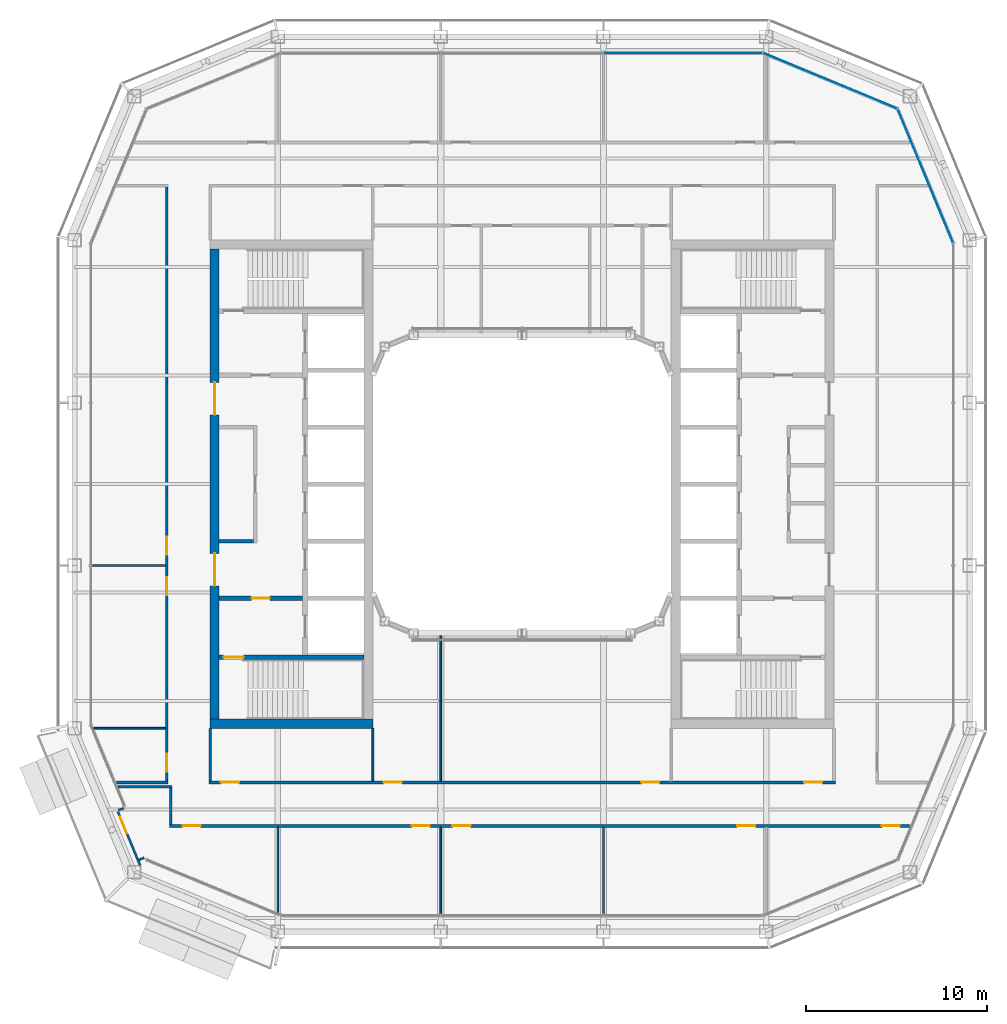
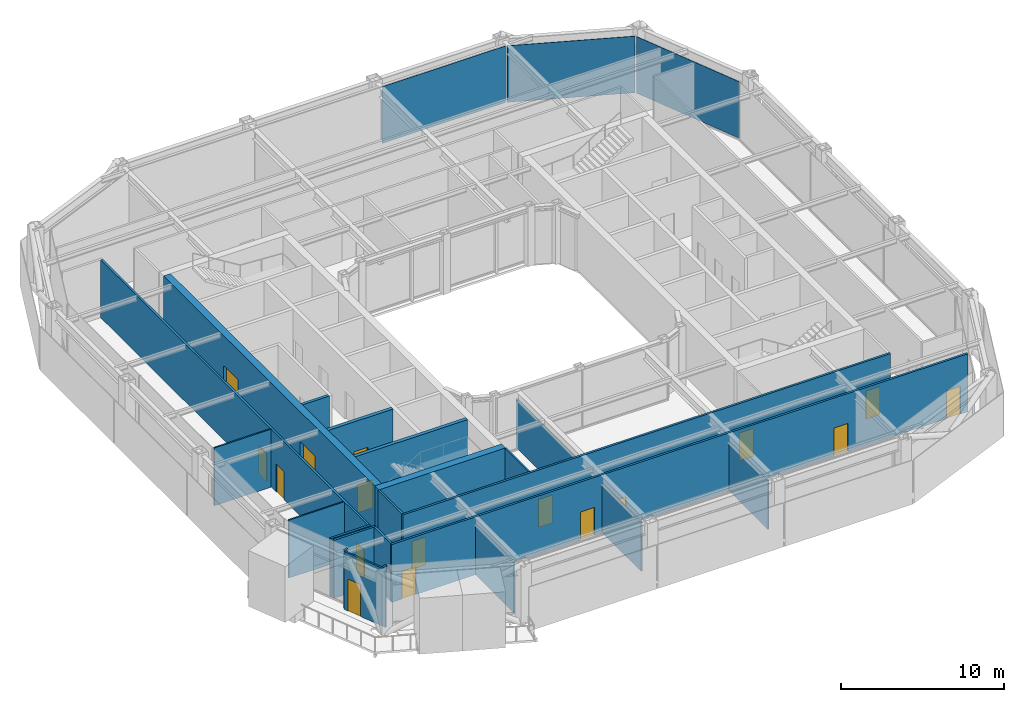
# One storey, part 10 of 20: 22 walls, 17 doors, 3 plates, 17 openings, 3 elements without a shape of their own.
"""IFC4 building model written with IfcOpenShell, lengths in metres."""

import ifcopenshell
import ifcopenshell.guid

model = None  # the IFC model being written
_history = None  # IfcOwnerHistory: only IFC2X3 demands one
_inside = {}  # id of a spatial element -> (the spatial element, [elements in it])
_under = {}  # id of a project, library or spatial element -> (it, [spatial elements below it])
_declared = {}  # id of a project -> (the project, [libraries it declares])
_typed = {}  # id of a type object -> (the type object, [elements of that type])
_made_of = {}  # id of a material, layer set ... -> (it, [elements and type objects made of it])


def new_model(schema):
    """Start an empty IFC model of exactly this schema.

    Asked for "IFC4X3", IfcOpenShell would pick the latest addendum, in which some entities
    have other attributes; the version numbers below select the first issue.
    IFC2X3 requires an IfcOwnerHistory on every rooted entity: one is made here for all.
    """
    global model, _history
    if schema == "IFC4X3":
        model = ifcopenshell.file(schema_version=(4, 3, 0, 0))
    else:
        model = ifcopenshell.file(schema=schema)
    _inside.clear()
    _under.clear()
    _declared.clear()
    _typed.clear()
    _made_of.clear()
    _history = None
    if model.schema == "IFC2X3":
        org = make("IfcOrganization", Name="unknown")
        user = make(
            "IfcPersonAndOrganization",
            ThePerson=make("IfcPerson", FamilyName="unknown"),
            TheOrganization=org,
        )
        app = make(
            "IfcApplication",
            ApplicationDeveloper=org,
            Version="unknown",
            ApplicationFullName="unknown",
            ApplicationIdentifier="unknown",
        )
        _history = make(
            "IfcOwnerHistory",
            OwningUser=user,
            OwningApplication=app,
            ChangeAction="ADDED",
            CreationDate=0,
        )
    return model


def make(cls, **values):
    """One entity of the class cls with the attributes given. An attribute that is None is left unset."""
    return model.create_entity(
        cls, **{name: value for name, value in values.items() if value is not None}
    )


def rooted(cls, **values):
    """An entity with a GlobalId (a new one), such as an element, a storey or a relation."""
    return make(cls, GlobalId=ifcopenshell.guid.new(), OwnerHistory=_history, **values)


def si_unit(unit_type, name, prefix=None):
    """IfcSIUnit, for example si_unit("LENGTHUNIT", "METRE", prefix="MILLI")."""
    return make("IfcSIUnit", UnitType=unit_type, Prefix=prefix, Name=name)


def assignment(units):
    """IfcUnitAssignment: the units of a project."""
    return None if units is None else make("IfcUnitAssignment", Units=units)


def point(xyz):
    """IfcCartesianPoint."""
    return None if xyz is None else make("IfcCartesianPoint", Coordinates=xyz)


def direction(xyz):
    """IfcDirection."""
    return None if xyz is None else make("IfcDirection", DirectionRatios=xyz)


def frame(location, z_axis=None, x_axis=None):
    """IfcAxis2Placement3D, a coordinate frame: its origin and axes. An axis left out is left unset."""
    return make(
        "IfcAxis2Placement3D",
        Location=point(location),
        Axis=direction(z_axis),
        RefDirection=direction(x_axis),
    )


def frame_2d(location, x_axis=None):
    """IfcAxis2Placement2D, a coordinate frame in the plane: its origin and x axis."""
    return make(
        "IfcAxis2Placement2D", Location=point(location), RefDirection=direction(x_axis)
    )


def origin():
    """The frame at (0, 0, 0) with its axes left unset."""
    return frame((0.0, 0.0, 0.0))


def origin_2d():
    """The frame at (0, 0) in the plane with its x axis left unset."""
    return frame_2d((0.0, 0.0))


def place(relative_to, where):
    """IfcLocalPlacement: puts the frame where relative to a parent placement (None: the world)."""
    return make(
        "IfcLocalPlacement", PlacementRelTo=relative_to, RelativePlacement=where
    )


def context(
    kind, dimensions, precision=None, world=None, true_north=None, identifier=None
):
    """IfcGeometricRepresentationContext, for example the 3D "Model" context."""
    return make(
        "IfcGeometricRepresentationContext",
        ContextIdentifier=identifier,
        ContextType=kind,
        CoordinateSpaceDimension=dimensions,
        Precision=precision,
        WorldCoordinateSystem=world,
        TrueNorth=true_north,
    )


def subcontext(parent, identifier, kind, view, scale=None):
    """IfcGeometricRepresentationSubContext, for example "Body" below "Model"."""
    return make(
        "IfcGeometricRepresentationSubContext",
        ContextIdentifier=identifier,
        ContextType=kind,
        ParentContext=parent,
        TargetScale=scale,
        TargetView=view,
    )


def project(units=None, contexts=None):
    """IfcProject with its units and contexts."""
    return rooted(
        "IfcProject",
        Name="project",
        RepresentationContexts=contexts,
        UnitsInContext=assignment(units),
    )


def spatial(cls, under=None, at=None, **own):
    """A site, building, storey or space (cls), placed at a placement, below another one or the project."""
    s = rooted(cls, ObjectPlacement=at, **own)
    if under is not None:
        _under.setdefault(under.id(), (under, []))[1].append(s)
    return s


def profile(cls, at=None, kind="AREA", **sizes):
    """A parametric profile (cls). Its sizes go by their IFC names, for example OverallWidth=200.0."""
    return make(cls, ProfileType=kind, Position=at, **sizes)


def rectangle(**sizes):
    """IfcRectangleProfileDef."""
    return profile("IfcRectangleProfileDef", **sizes)


def extrude(swept, where, along, depth):
    """IfcExtrudedAreaSolid: the profile swept, set in the frame where, extruded along a direction by depth."""
    return make(
        "IfcExtrudedAreaSolid",
        SweptArea=swept,
        Position=where,
        ExtrudedDirection=direction(along),
        Depth=depth,
    )


def shape(context_of_items, identifier, shape_type, items):
    """IfcShapeRepresentation: the items that make up one representation, for example the "Body"."""
    return make(
        "IfcShapeRepresentation",
        ContextOfItems=context_of_items,
        RepresentationIdentifier=identifier,
        RepresentationType=shape_type,
        Items=items,
    )


def material(Name=None, Category=None):
    """IfcMaterial."""
    return make("IfcMaterial", Name=Name, Category=Category)


def layer(
    of_material, thickness, ventilated=None, Name=None, Category=None, Priority=None
):
    """IfcMaterialLayer: one layer of a wall or slab, of a material (None: an air gap)."""
    return make(
        "IfcMaterialLayer",
        Material=of_material,
        LayerThickness=thickness,
        IsVentilated=ventilated,
        Name=Name,
        Category=Category,
        Priority=Priority,
    )


def layer_set(layers, Name=None):
    """IfcMaterialLayerSet."""
    return make("IfcMaterialLayerSet", MaterialLayers=layers, LayerSetName=Name)


def made_of(thing, what):
    """Note that an element or type object is made of a material, layer set ...; save() writes the relation."""
    if what is not None:
        _made_of.setdefault(what.id(), (what, []))[1].append(thing)
    return thing


def type_object(cls, material=None, **own):
    """A type object (cls), such as IfcWallType, which elements share."""
    return made_of(rooted(cls, **own), material)


def element(
    cls,
    number,
    at=None,
    inside=None,
    cuts=None,
    type_object=None,
    material=None,
    context=None,
    identifier="Body",
    shape_type=None,
    held_by="IfcProductDefinitionShape",
    body=None,
    shapes=None,
    **own,
):
    """One element of the class cls, such as IfcWall. Its Tag is "e" and its number.

    at: its placement. inside: the storey or other place that contains it. cuts: it is an
    opening in that element (IfcRelVoidsElement). A single representation is given by context,
    identifier, shape_type and body (its items); several are given by shapes. held_by: the class
    of the entity that holds the representations. save() writes the other relations.
    """
    e = rooted(cls, Tag="e%d" % number, ObjectPlacement=at, **own)
    if body is not None:
        shapes = [shape(context, identifier, shape_type, body)]
    if shapes is not None:
        e.Representation = make(held_by, Representations=shapes)
    if inside is not None:
        _inside.setdefault(inside.id(), (inside, []))[1].append(e)
    if cuts is not None:
        rooted(
            "IfcRelVoidsElement", RelatingBuildingElement=cuts, RelatedOpeningElement=e
        )
    if type_object is not None:
        _typed.setdefault(type_object.id(), (type_object, []))[1].append(e)
    return made_of(e, material)


def fill(opening, filler):
    """IfcRelFillsElement: the door or window that sits in an opening."""
    return rooted(
        "IfcRelFillsElement",
        RelatingOpeningElement=opening,
        RelatedBuildingElement=filler,
    )


def aggregate(whole, parts):
    """IfcRelAggregates: a whole, such as a stair, and the parts it consists of."""
    return rooted("IfcRelAggregates", RelatingObject=whole, RelatedObjects=parts)


def save(model, path):
    """Write the relations noted so far, then the file.

    IfcRelAggregates (storeys below a building ...), IfcRelContainedInSpatialStructure (elements
    in a storey), IfcRelDefinesByType, IfcRelAssociatesMaterial and IfcRelDeclares: one each for
    every whole, place, type object, material and project.
    """
    for whole, parts in _under.values():
        aggregate(whole, parts)
    for where, things in _inside.values():
        rooted(
            "IfcRelContainedInSpatialStructure",
            RelatedElements=things,
            RelatingStructure=where,
        )
    for kind, things in _typed.values():
        rooted("IfcRelDefinesByType", RelatedObjects=things, RelatingType=kind)
    for what, things in _made_of.values():
        rooted("IfcRelAssociatesMaterial", RelatedObjects=things, RelatingMaterial=what)
    for by, libraries in _declared.values():
        rooted("IfcRelDeclares", RelatingContext=by, RelatedDefinitions=libraries)
    model.write(path)


model = new_model("IFC4")

# Units and contexts
model_context = context("Model", 3, precision=1e-05, world=origin(), true_north=direction((0.0, 1.0)))
body_context = subcontext(model_context, "Body", "Model", "MODEL_VIEW")
ifc_project = project(units=[si_unit("LENGTHUNIT", "METRE"), si_unit("AREAUNIT", "SQUARE_METRE"), si_unit("VOLUMEUNIT", "CUBIC_METRE"), si_unit("PLANEANGLEUNIT", "RADIAN"), si_unit("MASSUNIT", "GRAM", prefix="KILO")], contexts=[model_context])

# Site, building, storey
site_placement = place(None, origin())
site = spatial("IfcSite", under=ifc_project, at=site_placement, CompositionType="ELEMENT")
building_placement = place(site_placement, origin())
building = spatial("IfcBuilding", under=site, at=building_placement, Name="Siwar Civic Tower", CompositionType="ELEMENT")
storey_placement = place(building_placement, frame((0.0, 0.0, 316.699951171875)))
storey = spatial("IfcBuildingStorey", under=building, at=storey_placement, Name="L68", CompositionType="ELEMENT", Elevation=316.699951171875)

# Curtain wall, plate
ifc_material_1 = material(Name="Aluminium and glass", Category="aluminium")
ifc_layer_1 = layer(ifc_material_1, 0.159912109375)
ifc_layer_set_1 = layer_set([ifc_layer_1], Name="Aluminium and glass")
curtain_wall_type_1 = type_object("IfcCurtainWallType", Name="ENV-CW-D", PredefinedType="NOTDEFINED", material=ifc_layer_set_1)
curtain_wall_1_placement = place(storey_placement, origin())
curtain_wall_1 = element("IfcCurtainWall", 1, at=curtain_wall_1_placement, inside=storey, type_object=curtain_wall_type_1, Name="Curtain wall D N", PredefinedType="NOTDEFINED")
ifc_material_2 = material(Name="Glass clear laminated", Category="glass")
ifc_layer_2 = layer(ifc_material_2, 0.030029296875)
ifc_layer_set_2 = layer_set([ifc_layer_2], Name="Glass clear laminated")
plate_type_1 = type_object("IfcPlateType", Name="ENV-PANEL-D", PredefinedType="CURTAIN_PANEL", material=ifc_layer_set_2)
plate_1_placement = place(storey_placement, frame((8.910400390625, 23.85009765625, 0.10009765625), z_axis=(0.0, 0.0, 1.0), x_axis=(-1.0, 0.0, 0.0)))
plate_1 = element("IfcPlate", 2, at=plate_1_placement, type_object=plate_type_1, Name="Curtain panel D N 1", PredefinedType="CURTAIN_PANEL", context=body_context, shape_type="SweptSolid", body=[
    extrude(rectangle(XDim=8.760986328125, YDim=0.030029296875, at=origin_2d()), origin(), (0.0, 0.0, 1.0), 4.25),
])
aggregate(curtain_wall_1, [plate_1])

ifc_material_3 = material(Name="Aluminium clad insulated panel", Category="aluminium")
ifc_layer_3 = layer(ifc_material_3, 0.159912109375)
ifc_layer_set_3 = layer_set([ifc_layer_3], Name="Aluminium clad insulated panel")
curtain_wall_type_2 = type_object("IfcCurtainWallType", Name="ENV-CW-DX", PredefinedType="NOTDEFINED", material=ifc_layer_set_3)
curtain_wall_2_placement = place(storey_placement, origin())
curtain_wall_2 = element("IfcCurtainWall", 3, at=curtain_wall_2_placement, inside=storey, type_object=curtain_wall_type_2, Name="Curtain wall D NE1", PredefinedType="NOTDEFINED")
ifc_material_4 = material(Name="Aluminium clad insulated panel", Category="aluminium")
ifc_layer_4 = layer(ifc_material_4, 0.030029296875)
ifc_layer_set_4 = layer_set([ifc_layer_4], Name="Aluminium clad insulated panel")
plate_type_2 = type_object("IfcPlateType", Name="ENV-PANEL-DX", PredefinedType="CURTAIN_PANEL", material=ifc_layer_set_4)
plate_2_placement = place(storey_placement, frame((22.321044921875, 17.01220703125, 0.10009765625), z_axis=(0.0, 0.0, 1.0), x_axis=(-0.382683432365, 0.923879532511, 0.0)))
plate_2 = element("IfcPlate", 4, at=plate_2_placement, type_object=plate_type_2, Name="Curtain panel D NE1 1", PredefinedType="CURTAIN_PANEL", context=body_context, shape_type="SweptSolid", body=[
    extrude(rectangle(XDim=7.9306640625, YDim=0.030029296875, at=origin_2d()), origin(), (0.0, 0.0, 1.0), 4.25),
])
aggregate(curtain_wall_2, [plate_2])

curtain_wall_3_placement = place(storey_placement, origin())
curtain_wall_3 = element("IfcCurtainWall", 5, at=curtain_wall_3_placement, inside=storey, type_object=curtain_wall_type_2, Name="Curtain wall D NE2", PredefinedType="NOTDEFINED")
plate_3_placement = place(storey_placement, frame((17.074951171875, 22.295166015625, 0.10009765625), z_axis=(0.0, 0.0, 1.0), x_axis=(-0.923879532511, 0.382683432365, 0.0)))
plate_3 = element("IfcPlate", 6, at=plate_3_placement, type_object=plate_type_2, Name="Curtain panel D NE2 1", PredefinedType="CURTAIN_PANEL", context=body_context, shape_type="SweptSolid", body=[
    extrude(rectangle(XDim=7.9306640625, YDim=0.030029296875, at=origin_2d()), origin(), (0.0, 0.0, 1.0), 4.25),
])
aggregate(curtain_wall_3, [plate_3])

# Wall
ifc_material_5 = material(Name="Gypsum board on steel studs", Category="steel")
ifc_layer_5 = layer(ifc_material_5, 0.199951171875)
ifc_layer_set_5 = layer_set([ifc_layer_5], Name="Gypsum board on steel studs")
wall_type_1 = type_object("IfcWallType", Name="CORE-PARTITION-200", PredefinedType="PARTITIONING", material=ifc_layer_set_5)
wall_1_placement = place(storey_placement, frame((-14.85009765625, -3.14990234375, 0.0), z_axis=(0.0, 0.0, 1.0), x_axis=(-1.0, 0.0, 0.0)))
element("IfcWall", 7, at=wall_1_placement, inside=storey, type_object=wall_type_1, Name="Core partition W", PredefinedType="PARTITIONING", context=body_context, shape_type="SweptSolid", body=[
    extrude(rectangle(XDim=1.89990234375, YDim=0.199951171875, at=frame_2d((0.949951171875, 0.0))), origin(), (0.0, 0.0, 1.0), 4.35009765625),
])

# Wall, opening, door
ifc_material_6 = material(Name="Concrete C60/75", Category="concrete")
ifc_layer_6 = layer(ifc_material_6, 0.25)
ifc_layer_set_6 = layer_set([ifc_layer_6], Name="Concrete C60/75")
wall_type_2 = type_object("IfcWallType", Name="CORE-WALL-RC250", PredefinedType="SHEAR", material=ifc_layer_set_6)
wall_2_placement = place(storey_placement, frame((-12.14990234375, -6.300048828125, 0.0), z_axis=(0.0, 0.0, 1.0), x_axis=(-1.0, 0.0, 0.0)))
wall_2 = element("IfcWall", 8, at=wall_2_placement, inside=storey, type_object=wall_type_2, Name="Core wall W", PredefinedType="SHEAR", context=body_context, shape_type="SweptSolid", body=[
    extrude(rectangle(XDim=4.60009765625, YDim=0.25, at=frame_2d((2.300048828125, 0.0))), origin(), (0.0, 0.0, 1.0), 4.35009765625),
])
opening_1_placement = place(wall_2_placement, frame((1.800048828125, 0.0, 0.0)))
opening_1 = element("IfcOpeningElement", 9, at=opening_1_placement, cuts=wall_2, Name="Opening L68-CW02", PredefinedType="OPENING", context=body_context, shape_type="SweptSolid", body=[
    extrude(rectangle(XDim=1.0, YDim=2.10009765625, at=frame_2d((0.5, 1.050048828125))), frame((0.0, 0.135009765625, 0.0), z_axis=(0.0, -1.0, 0.0), x_axis=(1.0, 0.0, 0.0)), (0.0, 0.0, 1.0), 0.27001953125),
])
ifc_material_7 = material(Name="Steel door leaf", Category="steel")
door_type_1 = type_object("IfcDoorType", Name="CORE-DOOR-FD30S", OperationType="SINGLE_SWING_LEFT", PredefinedType="DOOR", material=ifc_material_7)
door_1_placement = place(opening_1_placement, origin())
door_1 = element("IfcDoor", 10, at=door_1_placement, inside=storey, type_object=door_type_1, Name="Service lobby door L68-CW02", OperationType="SINGLE_SWING_RIGHT", OverallHeight=2.10009765625, OverallWidth=1.0, PredefinedType="DOOR", context=body_context, shape_type="SweptSolid", body=[
    extrude(rectangle(XDim=1.0, YDim=2.10009765625, at=frame_2d((0.5, 1.050048828125))), frame((0.0, 0.02490234375, 0.0), z_axis=(0.0, -1.0, 0.0), x_axis=(1.0, 0.0, 0.0)), (0.0, 0.0, 1.0), 0.050048828125),
])
fill(opening_1, door_1)

wall_3_placement = place(storey_placement, frame((-8.75, -9.574951171875, 0.0), z_axis=(0.0, 0.0, 1.0), x_axis=(-1.0, 0.0, 0.0)))
wall_3 = element("IfcWall", 11, at=wall_3_placement, inside=storey, type_object=wall_type_2, Name="Core wall W", PredefinedType="SHEAR", context=body_context, shape_type="SweptSolid", body=[
    extrude(rectangle(XDim=8.0, YDim=0.25, at=frame_2d((4.0, 0.0))), origin(), (0.0, 0.0, 1.0), 4.35009765625),
])
opening_2_placement = place(wall_3_placement, frame((6.64990234375, 0.0, 0.0)))
opening_2 = element("IfcOpeningElement", 12, at=opening_2_placement, cuts=wall_3, Name="Opening L68-CW04", PredefinedType="OPENING", context=body_context, shape_type="SweptSolid", body=[
    extrude(rectangle(XDim=1.10009765625, YDim=2.10009765625, at=frame_2d((0.550048828125, 1.050048828125))), frame((0.0, 0.135009765625, 0.0), z_axis=(0.0, -1.0, 0.0), x_axis=(1.0, 0.0, 0.0)), (0.0, 0.0, 1.0), 0.27001953125),
])
ifc_material_8 = material(Name="Steel door leaf", Category="steel")
door_type_2 = type_object("IfcDoorType", Name="CORE-DOOR-FD60S", OperationType="SINGLE_SWING_LEFT", PredefinedType="DOOR", material=ifc_material_8)
door_2_placement = place(opening_2_placement, origin())
door_2 = element("IfcDoor", 13, at=door_2_placement, inside=storey, type_object=door_type_2, Name="Stair door L68-CW04", OperationType="SINGLE_SWING_LEFT", OverallHeight=2.10009765625, OverallWidth=1.10009765625, PredefinedType="DOOR", context=body_context, shape_type="SweptSolid", body=[
    extrude(rectangle(XDim=1.10009765625, YDim=2.10009765625, at=frame_2d((0.550048828125, 1.050048828125))), frame((0.0, 0.02490234375, 0.0), z_axis=(0.0, -1.0, 0.0), x_axis=(1.0, 0.0, 0.0)), (0.0, 0.0, 1.0), 0.050048828125),
])
fill(opening_2, door_2)

# Wall, openings, doors
ifc_material_9 = material(Name="Concrete C60/75", Category="concrete")
ifc_layer_7 = layer(ifc_material_9, 0.5)
ifc_layer_set_7 = layer_set([ifc_layer_7], Name="Concrete C60/75")
wall_type_3 = type_object("IfcWallType", Name="CORE-WALL-RC500", PredefinedType="SHEAR", material=ifc_layer_set_7)
wall_4_placement = place(storey_placement, frame((-17.0, -13.0, 0.0), z_axis=(0.0, 0.0, 1.0), x_axis=(0.0, 1.0, 0.0)))
wall_4 = element("IfcWall", 14, at=wall_4_placement, inside=storey, type_object=wall_type_3, Name="Core wall W", PredefinedType="SHEAR", context=body_context, shape_type="SweptSolid", body=[
    extrude(rectangle(XDim=26.0, YDim=0.5, at=frame_2d((13.0, 0.0))), origin(), (0.0, 0.0, 1.0), 4.35009765625),
])
opening_3_placement = place(wall_4_placement, frame((16.824951171875, 0.0, 0.0)))
opening_3 = element("IfcOpeningElement", 15, at=opening_3_placement, cuts=wall_4, Name="Opening L68-CW05", PredefinedType="OPENING", context=body_context, shape_type="SweptSolid", body=[
    extrude(rectangle(XDim=1.800048828125, YDim=2.10009765625, at=frame_2d((0.89990234375, 1.050048828125))), frame((0.0, 0.260009765625, 0.0), z_axis=(0.0, -1.0, 0.0), x_axis=(1.0, 0.0, 0.0)), (0.0, 0.0, 1.0), 0.52001953125),
])
opening_4_placement = place(wall_4_placement, frame((7.375, 0.0, 0.0)))
opening_4 = element("IfcOpeningElement", 16, at=opening_4_placement, cuts=wall_4, Name="Opening L68-CW06", PredefinedType="OPENING", context=body_context, shape_type="SweptSolid", body=[
    extrude(rectangle(XDim=1.800048828125, YDim=2.10009765625, at=frame_2d((0.89990234375, 1.050048828125))), frame((0.0, 0.260009765625, 0.0), z_axis=(0.0, -1.0, 0.0), x_axis=(1.0, 0.0, 0.0)), (0.0, 0.0, 1.0), 0.52001953125),
])
ifc_material_10 = material(Name="Steel door leaf", Category="steel")
door_type_3 = type_object("IfcDoorType", Name="CORE-DOOR-PORT", OperationType="DOUBLE_DOOR_DOUBLE_SWING", PredefinedType="DOOR", material=ifc_material_10)
door_3_placement = place(opening_3_placement, origin())
door_3 = element("IfcDoor", 17, at=door_3_placement, inside=storey, type_object=door_type_3, Name="Core entrance door L68-CW05", OperationType="DOUBLE_DOOR_DOUBLE_SWING", OverallHeight=2.10009765625, OverallWidth=1.800048828125, PredefinedType="DOOR", context=body_context, shape_type="SweptSolid", body=[
    extrude(rectangle(XDim=1.800048828125, YDim=2.10009765625, at=frame_2d((0.89990234375, 1.050048828125))), frame((0.0, 0.02490234375, 0.0), z_axis=(0.0, -1.0, 0.0), x_axis=(1.0, 0.0, 0.0)), (0.0, 0.0, 1.0), 0.050048828125),
])
fill(opening_3, door_3)
door_4_placement = place(opening_4_placement, origin())
door_4 = element("IfcDoor", 18, at=door_4_placement, inside=storey, type_object=door_type_3, Name="Core entrance door L68-CW06", OperationType="DOUBLE_DOOR_DOUBLE_SWING", OverallHeight=2.10009765625, OverallWidth=1.800048828125, PredefinedType="DOOR", context=body_context, shape_type="SweptSolid", body=[
    extrude(rectangle(XDim=1.800048828125, YDim=2.10009765625, at=frame_2d((0.89990234375, 1.050048828125))), frame((0.0, 0.02490234375, 0.0), z_axis=(0.0, -1.0, 0.0), x_axis=(1.0, 0.0, 0.0)), (0.0, 0.0, 1.0), 0.050048828125),
])
fill(opening_4, door_4)

# Wall
wall_5_placement = place(storey_placement, frame((-8.25, -13.25, 0.0), z_axis=(0.0, 0.0, 1.0), x_axis=(-1.0, 0.0, 0.0)))
element("IfcWall", 19, at=wall_5_placement, inside=storey, type_object=wall_type_3, Name="Core wall W", PredefinedType="SHEAR", context=body_context, shape_type="SweptSolid", body=[
    extrude(rectangle(XDim=9.0, YDim=0.5, at=frame_2d((4.5, 0.0))), origin(), (0.0, 0.0, 1.0), 4.35009765625),
])

# Wall, openings, doors
ifc_material_11 = material(Name="Gypsum board on steel studs", Category="steel")
ifc_layer_8 = layer(ifc_material_11, 0.14990234375)
ifc_layer_set_8 = layer_set([ifc_layer_8], Name="Gypsum board on steel studs")
wall_type_4 = type_object("IfcWallType", Name="CORRIDOR PARTITION 150 EI 30", PredefinedType="PARTITIONING", material=ifc_layer_set_8)
wall_6_placement = place(storey_placement, frame((-19.5029296875, -18.89990234375, 0.0), z_axis=(0.0, 0.0, 1.0), x_axis=(1.0, 0.0, 0.0)))
wall_6 = element("IfcWall", 20, at=wall_6_placement, inside=storey, type_object=wall_type_4, Name="L68/wall/P01", PredefinedType="PARTITIONING", context=body_context, shape_type="SweptSolid", body=[
    extrude(rectangle(XDim=40.94384765625, YDim=0.14990234375, at=frame_2d((20.471923828125, 0.0))), origin(), (0.0, 0.0, 1.0), 4.35009765625),
])
opening_5_placement = place(wall_6_placement, frame((13.403076171875, 0.0, 0.0)))
opening_5 = element("IfcOpeningElement", 21, at=opening_5_placement, cuts=wall_6, Name="Opening D1", PredefinedType="OPENING", context=body_context, shape_type="SweptSolid", body=[
    extrude(rectangle(XDim=1.0, YDim=2.10009765625, at=frame_2d((0.5, 1.050048828125))), frame((0.0, 0.0849609375, 0.0), z_axis=(0.0, -1.0, 0.0), x_axis=(1.0, 0.0, 0.0)), (0.0, 0.0, 1.0), 0.169921875),
])
opening_6_placement = place(wall_6_placement, frame((15.653076171875, 0.0, 0.0)))
opening_6 = element("IfcOpeningElement", 22, at=opening_6_placement, cuts=wall_6, Name="Opening D1", PredefinedType="OPENING", context=body_context, shape_type="SweptSolid", body=[
    extrude(rectangle(XDim=1.0, YDim=2.10009765625, at=frame_2d((0.5, 1.050048828125))), frame((0.0, 0.0849609375, 0.0), z_axis=(0.0, -1.0, 0.0), x_axis=(1.0, 0.0, 0.0)), (0.0, 0.0, 1.0), 0.169921875),
])
opening_7_placement = place(wall_6_placement, frame((31.403076171875, 0.0, 0.0)))
opening_7 = element("IfcOpeningElement", 23, at=opening_7_placement, cuts=wall_6, Name="Opening D1", PredefinedType="OPENING", context=body_context, shape_type="SweptSolid", body=[
    extrude(rectangle(XDim=1.0, YDim=2.10009765625, at=frame_2d((0.5, 1.050048828125))), frame((0.0, 0.0849609375, 0.0), z_axis=(0.0, -1.0, 0.0), x_axis=(1.0, 0.0, 0.0)), (0.0, 0.0, 1.0), 0.169921875),
])
opening_8_placement = place(wall_6_placement, frame((0.72509765625, 0.0, 0.0)))
opening_8 = element("IfcOpeningElement", 24, at=opening_8_placement, cuts=wall_6, Name="Opening D1", PredefinedType="OPENING", context=body_context, shape_type="SweptSolid", body=[
    extrude(rectangle(XDim=1.0, YDim=2.10009765625, at=frame_2d((0.5, 1.050048828125))), frame((0.0, 0.0849609375, 0.0), z_axis=(0.0, -1.0, 0.0), x_axis=(1.0, 0.0, 0.0)), (0.0, 0.0, 1.0), 0.169921875),
])
opening_9_placement = place(wall_6_placement, frame((39.403076171875, 0.0, 0.0)))
opening_9 = element("IfcOpeningElement", 25, at=opening_9_placement, cuts=wall_6, Name="Opening D1", PredefinedType="OPENING", context=body_context, shape_type="SweptSolid", body=[
    extrude(rectangle(XDim=1.0, YDim=2.10009765625, at=frame_2d((0.5, 1.050048828125))), frame((0.0, 0.0849609375, 0.0), z_axis=(0.0, -1.0, 0.0), x_axis=(1.0, 0.0, 0.0)), (0.0, 0.0, 1.0), 0.169921875),
])
ifc_material_12 = material(Name="Timber, painted", Category="wood")
door_type_4 = type_object("IfcDoorType", Name="DOOR 1000 X 2100 FD30", OperationType="SINGLE_SWING_LEFT", PredefinedType="DOOR", material=ifc_material_12)
door_5_placement = place(opening_5_placement, origin())
door_5 = element("IfcDoor", 26, at=door_5_placement, inside=storey, type_object=door_type_4, Name="L68-D04", OperationType="SINGLE_SWING_RIGHT", OverallHeight=2.10009765625, OverallWidth=1.0, PredefinedType="DOOR", context=body_context, shape_type="SweptSolid", body=[
    extrude(rectangle(XDim=1.0, YDim=2.10009765625, at=frame_2d((0.5, 1.050048828125))), frame((0.0, 0.02490234375, 0.0), z_axis=(0.0, -1.0, 0.0), x_axis=(1.0, 0.0, 0.0)), (0.0, 0.0, 1.0), 0.050048828125),
])
fill(opening_5, door_5)
door_6_placement = place(opening_6_placement, origin())
door_6 = element("IfcDoor", 27, at=door_6_placement, inside=storey, type_object=door_type_4, Name="L68-D05", OperationType="SINGLE_SWING_LEFT", OverallHeight=2.10009765625, OverallWidth=1.0, PredefinedType="DOOR", context=body_context, shape_type="SweptSolid", body=[
    extrude(rectangle(XDim=1.0, YDim=2.10009765625, at=frame_2d((0.5, 1.050048828125))), frame((0.0, 0.02490234375, 0.0), z_axis=(0.0, -1.0, 0.0), x_axis=(1.0, 0.0, 0.0)), (0.0, 0.0, 1.0), 0.050048828125),
])
fill(opening_6, door_6)
door_7_placement = place(opening_7_placement, origin())
door_7 = element("IfcDoor", 28, at=door_7_placement, inside=storey, type_object=door_type_4, Name="L68-D06", OperationType="SINGLE_SWING_RIGHT", OverallHeight=2.10009765625, OverallWidth=1.0, PredefinedType="DOOR", context=body_context, shape_type="SweptSolid", body=[
    extrude(rectangle(XDim=1.0, YDim=2.10009765625, at=frame_2d((0.5, 1.050048828125))), frame((0.0, 0.02490234375, 0.0), z_axis=(0.0, -1.0, 0.0), x_axis=(1.0, 0.0, 0.0)), (0.0, 0.0, 1.0), 0.050048828125),
])
fill(opening_7, door_7)
door_8_placement = place(opening_8_placement, origin())
door_8 = element("IfcDoor", 29, at=door_8_placement, inside=storey, type_object=door_type_4, Name="L68-D09", OperationType="SINGLE_SWING_LEFT", OverallHeight=2.10009765625, OverallWidth=1.0, PredefinedType="DOOR", context=body_context, shape_type="SweptSolid", body=[
    extrude(rectangle(XDim=1.0, YDim=2.10009765625, at=frame_2d((0.5, 1.050048828125))), frame((0.0, 0.02490234375, 0.0), z_axis=(0.0, -1.0, 0.0), x_axis=(1.0, 0.0, 0.0)), (0.0, 0.0, 1.0), 0.050048828125),
])
fill(opening_8, door_8)
door_9_placement = place(opening_9_placement, origin())
door_9 = element("IfcDoor", 30, at=door_9_placement, inside=storey, type_object=door_type_4, Name="L68-D10", OperationType="SINGLE_SWING_RIGHT", OverallHeight=2.10009765625, OverallWidth=1.0, PredefinedType="DOOR", context=body_context, shape_type="SweptSolid", body=[
    extrude(rectangle(XDim=1.0, YDim=2.10009765625, at=frame_2d((0.5, 1.050048828125))), frame((0.0, 0.02490234375, 0.0), z_axis=(0.0, -1.0, 0.0), x_axis=(1.0, 0.0, 0.0)), (0.0, 0.0, 1.0), 0.050048828125),
])
fill(opening_9, door_9)

# Walls
wall_7_placement = place(storey_placement, frame((-22.339111328125, -16.73388671875, 0.0), z_axis=(0.0, 0.0, 1.0), x_axis=(1.0, 0.0, 0.0)))
element("IfcWall", 31, at=wall_7_placement, inside=storey, type_object=wall_type_4, Name="L68/wall/P02", PredefinedType="PARTITIONING", context=body_context, shape_type="SweptSolid", body=[
    extrude(rectangle(XDim=2.986083984375, YDim=0.14990234375, at=frame_2d((1.4931640625, 0.0))), origin(), (0.0, 0.0, 1.0), 4.35009765625),
])
wall_8_placement = place(storey_placement, frame((-22.43603515625, -16.4951171875, 0.0), z_axis=(0.0, 0.0, 1.0), x_axis=(1.0, 0.0, 0.0)))
element("IfcWall", 32, at=wall_8_placement, inside=storey, type_object=wall_type_4, Name="L68/wall/P03", PredefinedType="PARTITIONING", context=body_context, shape_type="SweptSolid", body=[
    extrude(rectangle(XDim=2.85498046875, YDim=0.14990234375, at=frame_2d((1.427490234375, 0.0))), origin(), (0.0, 0.0, 1.0), 4.35009765625),
])

# Wall, openings, doors
wall_9_placement = place(storey_placement, frame((-17.324951171875, -16.4951171875, 0.0), z_axis=(0.0, 0.0, 1.0), x_axis=(1.0, 0.0, 0.0)))
wall_9 = element("IfcWall", 33, at=wall_9_placement, inside=storey, type_object=wall_type_4, Name="L68/wall/P04", PredefinedType="PARTITIONING", context=body_context, shape_type="SweptSolid", body=[
    extrude(rectangle(XDim=34.64990234375, YDim=0.14990234375, at=frame_2d((17.324951171875, 0.0))), origin(), (0.0, 0.0, 1.0), 4.35009765625),
])
opening_10_placement = place(wall_9_placement, frame((9.675048828125, 0.0, 0.0)))
opening_10 = element("IfcOpeningElement", 34, at=opening_10_placement, cuts=wall_9, Name="Opening D1", PredefinedType="OPENING", context=body_context, shape_type="SweptSolid", body=[
    extrude(rectangle(XDim=1.0, YDim=2.10009765625, at=frame_2d((0.5, 1.050048828125))), frame((0.0, 0.0849609375, 0.0), z_axis=(0.0, -1.0, 0.0), x_axis=(1.0, 0.0, 0.0)), (0.0, 0.0, 1.0), 0.169921875),
])
opening_11_placement = place(wall_9_placement, frame((23.925048828125, 0.0, 0.0)))
opening_11 = element("IfcOpeningElement", 35, at=opening_11_placement, cuts=wall_9, Name="Opening D1", PredefinedType="OPENING", context=body_context, shape_type="SweptSolid", body=[
    extrude(rectangle(XDim=1.0, YDim=2.10009765625, at=frame_2d((0.5, 1.050048828125))), frame((0.0, 0.0849609375, 0.0), z_axis=(0.0, -1.0, 0.0), x_axis=(1.0, 0.0, 0.0)), (0.0, 0.0, 1.0), 0.169921875),
])
opening_12_placement = place(wall_9_placement, frame((0.675048828125, 0.0, 0.0)))
opening_12 = element("IfcOpeningElement", 36, at=opening_12_placement, cuts=wall_9, Name="Opening D1", PredefinedType="OPENING", context=body_context, shape_type="SweptSolid", body=[
    extrude(rectangle(XDim=1.0, YDim=2.10009765625, at=frame_2d((0.5, 1.050048828125))), frame((0.0, 0.0849609375, 0.0), z_axis=(0.0, -1.0, 0.0), x_axis=(1.0, 0.0, 0.0)), (0.0, 0.0, 1.0), 0.169921875),
])
opening_13_placement = place(wall_9_placement, frame((32.925048828125, 0.0, 0.0)))
opening_13 = element("IfcOpeningElement", 37, at=opening_13_placement, cuts=wall_9, Name="Opening D1", PredefinedType="OPENING", context=body_context, shape_type="SweptSolid", body=[
    extrude(rectangle(XDim=1.0, YDim=2.10009765625, at=frame_2d((0.5, 1.050048828125))), frame((0.0, 0.0849609375, 0.0), z_axis=(0.0, -1.0, 0.0), x_axis=(1.0, 0.0, 0.0)), (0.0, 0.0, 1.0), 0.169921875),
])
door_10_placement = place(opening_10_placement, origin())
door_10 = element("IfcDoor", 38, at=door_10_placement, inside=storey, type_object=door_type_4, Name="L68-D16", OperationType="SINGLE_SWING_RIGHT", OverallHeight=2.10009765625, OverallWidth=1.0, PredefinedType="DOOR", context=body_context, shape_type="SweptSolid", body=[
    extrude(rectangle(XDim=1.0, YDim=2.10009765625, at=frame_2d((0.5, 1.050048828125))), frame((0.0, 0.02490234375, 0.0), z_axis=(0.0, -1.0, 0.0), x_axis=(1.0, 0.0, 0.0)), (0.0, 0.0, 1.0), 0.050048828125),
])
fill(opening_10, door_10)
door_11_placement = place(opening_11_placement, origin())
door_11 = element("IfcDoor", 39, at=door_11_placement, inside=storey, type_object=door_type_4, Name="L68-D17", OperationType="SINGLE_SWING_LEFT", OverallHeight=2.10009765625, OverallWidth=1.0, PredefinedType="DOOR", context=body_context, shape_type="SweptSolid", body=[
    extrude(rectangle(XDim=1.0, YDim=2.10009765625, at=frame_2d((0.5, 1.050048828125))), frame((0.0, 0.02490234375, 0.0), z_axis=(0.0, -1.0, 0.0), x_axis=(1.0, 0.0, 0.0)), (0.0, 0.0, 1.0), 0.050048828125),
])
fill(opening_11, door_11)
door_12_placement = place(opening_12_placement, origin())
door_12 = element("IfcDoor", 40, at=door_12_placement, inside=storey, type_object=door_type_4, Name="L68-D20", OperationType="SINGLE_SWING_RIGHT", OverallHeight=2.10009765625, OverallWidth=1.0, PredefinedType="DOOR", context=body_context, shape_type="SweptSolid", body=[
    extrude(rectangle(XDim=1.0, YDim=2.10009765625, at=frame_2d((0.5, 1.050048828125))), frame((0.0, 0.02490234375, 0.0), z_axis=(0.0, -1.0, 0.0), x_axis=(1.0, 0.0, 0.0)), (0.0, 0.0, 1.0), 0.050048828125),
])
fill(opening_12, door_12)
door_13_placement = place(opening_13_placement, origin())
door_13 = element("IfcDoor", 41, at=door_13_placement, inside=storey, type_object=door_type_4, Name="L68-D21", OperationType="SINGLE_SWING_LEFT", OverallHeight=2.10009765625, OverallWidth=1.0, PredefinedType="DOOR", context=body_context, shape_type="SweptSolid", body=[
    extrude(rectangle(XDim=1.0, YDim=2.10009765625, at=frame_2d((0.5, 1.050048828125))), frame((0.0, 0.02490234375, 0.0), z_axis=(0.0, -1.0, 0.0), x_axis=(1.0, 0.0, 0.0)), (0.0, 0.0, 1.0), 0.050048828125),
])
fill(opening_13, door_13)

wall_10_placement = place(storey_placement, frame((-19.656005859375, -16.419921875, 0.0), z_axis=(0.0, 0.0, 1.0), x_axis=(0.0, 1.0, 0.0)))
wall_10 = element("IfcWall", 42, at=wall_10_placement, inside=storey, type_object=wall_type_4, Name="L68/wall/P14", PredefinedType="PARTITIONING", context=body_context, shape_type="SweptSolid", body=[
    extrude(rectangle(XDim=32.844970703125, YDim=0.14990234375, at=frame_2d((16.42236328125, 0.0))), origin(), (0.0, 0.0, 1.0), 4.35009765625),
])
opening_14_placement = place(wall_10_placement, frame((0.52001953125, 0.0, 0.0)))
opening_14 = element("IfcOpeningElement", 43, at=opening_14_placement, cuts=wall_10, Name="Opening D1", PredefinedType="OPENING", context=body_context, shape_type="SweptSolid", body=[
    extrude(rectangle(XDim=1.0, YDim=2.10009765625, at=frame_2d((0.5, 1.050048828125))), frame((0.0, 0.0849609375, 0.0), z_axis=(0.0, -1.0, 0.0), x_axis=(1.0, 0.0, 0.0)), (0.0, 0.0, 1.0), 0.169921875),
])
opening_15_placement = place(wall_10_placement, frame((10.27001953125, 0.0, 0.0)))
opening_15 = element("IfcOpeningElement", 44, at=opening_15_placement, cuts=wall_10, Name="Opening D1", PredefinedType="OPENING", context=body_context, shape_type="SweptSolid", body=[
    extrude(rectangle(XDim=1.0, YDim=2.10009765625, at=frame_2d((0.5, 1.050048828125))), frame((0.0, 0.0849609375, 0.0), z_axis=(0.0, -1.0, 0.0), x_axis=(1.0, 0.0, 0.0)), (0.0, 0.0, 1.0), 0.169921875),
])
opening_16_placement = place(wall_10_placement, frame((12.52001953125, 0.0, 0.0)))
opening_16 = element("IfcOpeningElement", 45, at=opening_16_placement, cuts=wall_10, Name="Opening D1", PredefinedType="OPENING", context=body_context, shape_type="SweptSolid", body=[
    extrude(rectangle(XDim=1.0, YDim=2.10009765625, at=frame_2d((0.5, 1.050048828125))), frame((0.0, 0.0849609375, 0.0), z_axis=(0.0, -1.0, 0.0), x_axis=(1.0, 0.0, 0.0)), (0.0, 0.0, 1.0), 0.169921875),
])
door_14_placement = place(opening_14_placement, origin())
door_14 = element("IfcDoor", 46, at=door_14_placement, inside=storey, type_object=door_type_4, Name="L68-D22", OperationType="SINGLE_SWING_RIGHT", OverallHeight=2.10009765625, OverallWidth=1.0, PredefinedType="DOOR", context=body_context, shape_type="SweptSolid", body=[
    extrude(rectangle(XDim=1.0, YDim=2.10009765625, at=frame_2d((0.5, 1.050048828125))), frame((0.0, 0.02490234375, 0.0), z_axis=(0.0, -1.0, 0.0), x_axis=(1.0, 0.0, 0.0)), (0.0, 0.0, 1.0), 0.050048828125),
])
fill(opening_14, door_14)
door_15_placement = place(opening_15_placement, origin())
door_15 = element("IfcDoor", 47, at=door_15_placement, inside=storey, type_object=door_type_4, Name="L68-D23", OperationType="SINGLE_SWING_LEFT", OverallHeight=2.10009765625, OverallWidth=1.0, PredefinedType="DOOR", context=body_context, shape_type="SweptSolid", body=[
    extrude(rectangle(XDim=1.0, YDim=2.10009765625, at=frame_2d((0.5, 1.050048828125))), frame((0.0, 0.02490234375, 0.0), z_axis=(0.0, -1.0, 0.0), x_axis=(1.0, 0.0, 0.0)), (0.0, 0.0, 1.0), 0.050048828125),
])
fill(opening_15, door_15)
door_16_placement = place(opening_16_placement, origin())
door_16 = element("IfcDoor", 48, at=door_16_placement, inside=storey, type_object=door_type_4, Name="L68-D24", OperationType="SINGLE_SWING_RIGHT", OverallHeight=2.10009765625, OverallWidth=1.0, PredefinedType="DOOR", context=body_context, shape_type="SweptSolid", body=[
    extrude(rectangle(XDim=1.0, YDim=2.10009765625, at=frame_2d((0.5, 1.050048828125))), frame((0.0, 0.02490234375, 0.0), z_axis=(0.0, -1.0, 0.0), x_axis=(1.0, 0.0, 0.0)), (0.0, 0.0, 1.0), 0.050048828125),
])
fill(opening_16, door_16)

# Walls
wall_11_placement = place(storey_placement, frame((-19.427978515625, -18.824951171875, 0.0), z_axis=(0.0, 0.0, 1.0), x_axis=(0.0, 1.0, 0.0)))
element("IfcWall", 49, at=wall_11_placement, inside=storey, type_object=wall_type_4, Name="L68/wall/P15", PredefinedType="PARTITIONING", context=body_context, shape_type="SweptSolid", body=[
    extrude(rectangle(XDim=2.015869140625, YDim=0.14990234375, at=frame_2d((1.0078125, 0.0))), origin(), (0.0, 0.0, 1.0), 4.35009765625),
])
wall_12_placement = place(storey_placement, frame((-17.25, -16.419921875, 0.0), z_axis=(0.0, 0.0, 1.0), x_axis=(0.0, 1.0, 0.0)))
element("IfcWall", 50, at=wall_12_placement, inside=storey, type_object=wall_type_4, Name="L68/wall/P16", PredefinedType="PARTITIONING", context=body_context, shape_type="SweptSolid", body=[
    extrude(rectangle(XDim=2.919921875, YDim=0.14990234375, at=frame_2d((1.4599609375, 0.0))), origin(), (0.0, 0.0, 1.0), 4.35009765625),
])
ifc_material_13 = material(Name="Aluminium clad insulated panel", Category="aluminium")
ifc_layer_9 = layer(ifc_material_13, 0.1201171875)
ifc_layer_set_9 = layer_set([ifc_layer_9], Name="Aluminium clad insulated panel")
wall_type_5 = type_object("IfcWallType", Name="ENV-WALL-BAL", PredefinedType="STANDARD", material=ifc_layer_set_9)
wall_13_placement = place(storey_placement, frame((-22.03271484375, -17.91748046875, 0.0), z_axis=(0.0, 0.0, 1.0), x_axis=(-0.923844027884, -0.382769136873, 0.0)))
element("IfcWall", 51, at=wall_13_placement, inside=storey, type_object=wall_type_5, Name="Balcony door wall return SW1", PredefinedType="STANDARD", context=body_context, shape_type="SweptSolid", body=[
    extrude(rectangle(XDim=0.31005859375, YDim=0.1201171875, at=frame_2d((0.155029296875, 0.0))), origin(), (0.0, 0.0, 1.0), 4.35009765625),
])
wall_14_placement = place(storey_placement, frame((-20.896484375, -20.66015625, 0.0), z_axis=(0.0, 0.0, 1.0), x_axis=(-0.923959293734, -0.382490814953, 0.0)))
element("IfcWall", 52, at=wall_14_placement, inside=storey, type_object=wall_type_5, Name="Balcony door wall return SW1", PredefinedType="STANDARD", context=body_context, shape_type="SweptSolid", body=[
    extrude(rectangle(XDim=0.310302734375, YDim=0.1201171875, at=frame_2d((0.1552734375, 0.0))), origin(), (0.0, 0.0, 1.0), 4.35009765625),
])

# Wall, opening, door
wall_15_placement = place(storey_placement, frame((-22.3515625, -18.114501953125, 0.0), z_axis=(0.0, 0.0, 1.0), x_axis=(0.382680969843, -0.923880552517, 0.0)))
wall_15 = element("IfcWall", 53, at=wall_15_placement, inside=storey, type_object=wall_type_5, Name="Balcony door wall SW1", PredefinedType="STANDARD", context=body_context, shape_type="SweptSolid", body=[
    extrude(rectangle(XDim=3.209716796875, YDim=0.1201171875, at=frame_2d((1.60498046875, 0.0))), origin(), (0.0, 0.0, 1.0), 4.35009765625),
])
opening_17_placement = place(wall_15_placement, frame((0.300048828125, 0.0, 0.0)))
opening_17 = element("IfcOpeningElement", 54, at=opening_17_placement, cuts=wall_15, Name="Opening D-BAL", PredefinedType="OPENING", context=body_context, shape_type="SweptSolid", body=[
    extrude(rectangle(XDim=1.0, YDim=2.39990234375, at=frame_2d((0.5, 1.199951171875))), frame((0.0, 0.070068359375, 0.0), z_axis=(0.0, -1.0, 0.0), x_axis=(1.0, 0.0, 0.0)), (0.0, 0.0, 1.0), 0.14013671875),
])
ifc_material_14 = material(Name="Aluminium and glass", Category="aluminium")
door_type_5 = type_object("IfcDoorType", Name="ENV-DOOR-BAL", OperationType="SINGLE_SWING_LEFT", PredefinedType="DOOR", material=ifc_material_14)
door_17_placement = place(opening_17_placement, origin())
door_17 = element("IfcDoor", 55, at=door_17_placement, inside=storey, type_object=door_type_5, Name="Balcony door SW", OperationType="SINGLE_SWING_LEFT", OverallHeight=2.39990234375, OverallWidth=1.0, PredefinedType="DOOR", context=body_context, shape_type="SweptSolid", body=[
    extrude(rectangle(XDim=1.0, YDim=2.39990234375, at=frame_2d((0.5, 1.199951171875))), frame((0.0, 0.02490234375, 0.0), z_axis=(0.0, -1.0, 0.0), x_axis=(1.0, 0.0, 0.0)), (0.0, 0.0, 1.0), 0.050048828125),
])
fill(opening_17, door_17)

# Walls
ifc_material_15 = material(Name="Gypsum board on steel studs", Category="steel")
ifc_layer_10 = layer(ifc_material_15, 0.10009765625)
ifc_layer_set_10 = layer_set([ifc_layer_10], Name="Gypsum board on steel studs")
wall_type_6 = type_object("IfcWallType", Name="PARTITION 100 GYPSUM", PredefinedType="PARTITIONING", material=ifc_layer_set_10)
wall_16_placement = place(storey_placement, frame((-23.677978515625, -13.5, 0.0), z_axis=(0.0, 0.0, 1.0), x_axis=(1.0, 0.0, 0.0)))
element("IfcWall", 56, at=wall_16_placement, inside=storey, type_object=wall_type_6, Name="L68/wall/P06", PredefinedType="PARTITIONING", context=body_context, shape_type="SweptSolid", body=[
    extrude(rectangle(XDim=3.947021484375, YDim=0.10009765625, at=frame_2d((1.9736328125, 0.0))), origin(), (0.0, 0.0, 1.0), 4.35009765625),
])
wall_17_placement = place(storey_placement, frame((-23.760009765625, -4.5, 0.0), z_axis=(0.0, 0.0, 1.0), x_axis=(1.0, 0.0, 0.0)))
element("IfcWall", 57, at=wall_17_placement, inside=storey, type_object=wall_type_6, Name="L68/wall/P07", PredefinedType="PARTITIONING", context=body_context, shape_type="SweptSolid", body=[
    extrude(rectangle(XDim=4.029052734375, YDim=0.10009765625, at=frame_2d((2.0146484375, 0.0))), origin(), (0.0, 0.0, 1.0), 4.35009765625),
])
wall_18_placement = place(storey_placement, frame((-13.5, -23.677978515625, 0.0), z_axis=(0.0, 0.0, 1.0), x_axis=(0.0, 1.0, 0.0)))
element("IfcWall", 58, at=wall_18_placement, inside=storey, type_object=wall_type_6, Name="L68/wall/P18", PredefinedType="PARTITIONING", context=body_context, shape_type="SweptSolid", body=[
    extrude(rectangle(XDim=4.702880859375, YDim=0.10009765625, at=frame_2d((2.3515625, 0.0))), origin(), (0.0, 0.0, 1.0), 3.75),
])
wall_19_placement = place(storey_placement, frame((-8.25, -16.419921875, 0.0), z_axis=(0.0, 0.0, 1.0), x_axis=(0.0, 1.0, 0.0)))
element("IfcWall", 59, at=wall_19_placement, inside=storey, type_object=wall_type_6, Name="L68/wall/P20", PredefinedType="PARTITIONING", context=body_context, shape_type="SweptSolid", body=[
    extrude(rectangle(XDim=2.919921875, YDim=0.10009765625, at=frame_2d((1.4599609375, 0.0))), origin(), (0.0, 0.0, 1.0), 4.35009765625),
])
wall_20_placement = place(storey_placement, frame((-4.5, -23.760009765625, 0.0), z_axis=(0.0, 0.0, 1.0), x_axis=(0.0, 1.0, 0.0)))
element("IfcWall", 60, at=wall_20_placement, inside=storey, type_object=wall_type_6, Name="L68/wall/P22", PredefinedType="PARTITIONING", context=body_context, shape_type="SweptSolid", body=[
    extrude(rectangle(XDim=4.784912109375, YDim=0.10009765625, at=frame_2d((2.392578125, 0.0))), origin(), (0.0, 0.0, 1.0), 3.650146484375),
])
wall_21_placement = place(storey_placement, frame((-4.5, -16.419921875, 0.0), z_axis=(0.0, 0.0, 1.0), x_axis=(0.0, 1.0, 0.0)))
element("IfcWall", 61, at=wall_21_placement, inside=storey, type_object=wall_type_6, Name="L68/wall/P23", PredefinedType="PARTITIONING", context=body_context, shape_type="SweptSolid", body=[
    extrude(rectangle(XDim=8.0498046875, YDim=0.10009765625, at=frame_2d((4.02490234375, 0.0))), origin(), (0.0, 0.0, 1.0), 3.650146484375),
])
wall_22_placement = place(storey_placement, frame((4.5, -23.760009765625, 0.0), z_axis=(0.0, 0.0, 1.0), x_axis=(0.0, 1.0, 0.0)))
element("IfcWall", 62, at=wall_22_placement, inside=storey, type_object=wall_type_6, Name="L68/wall/P27", PredefinedType="PARTITIONING", context=body_context, shape_type="SweptSolid", body=[
    extrude(rectangle(XDim=4.784912109375, YDim=0.10009765625, at=frame_2d((2.392578125, 0.0))), origin(), (0.0, 0.0, 1.0), 3.650146484375),
])

save(model, "model.ifc")
